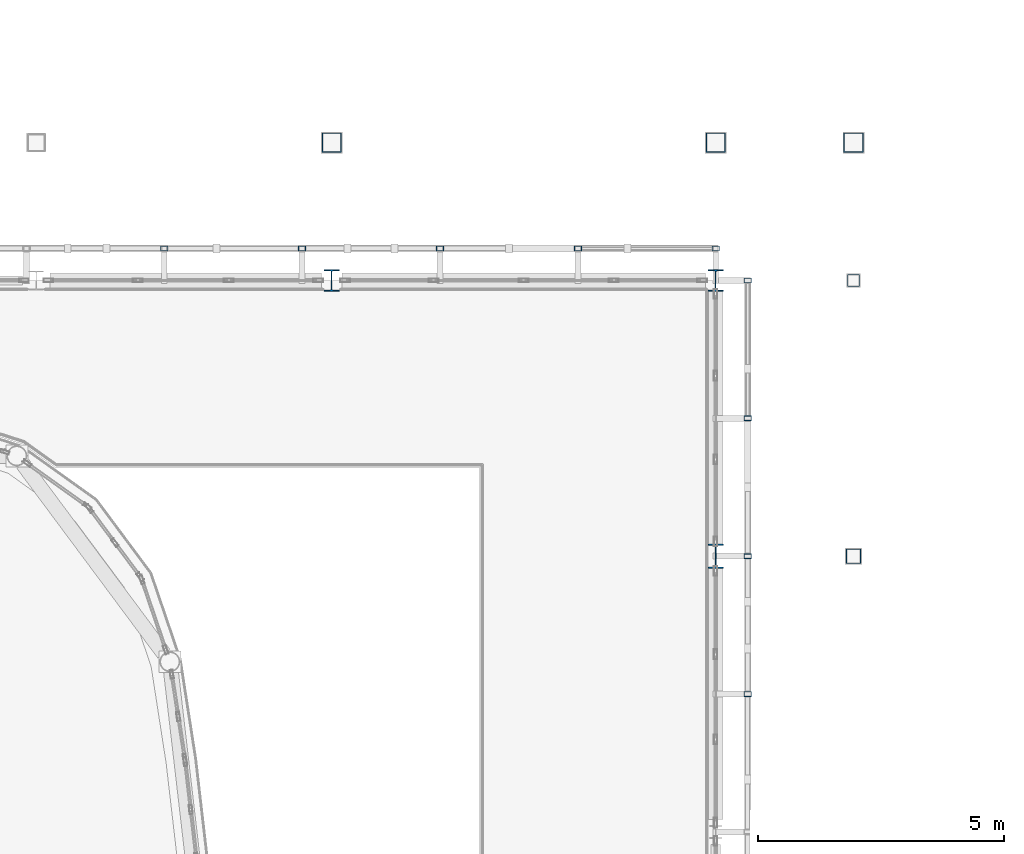
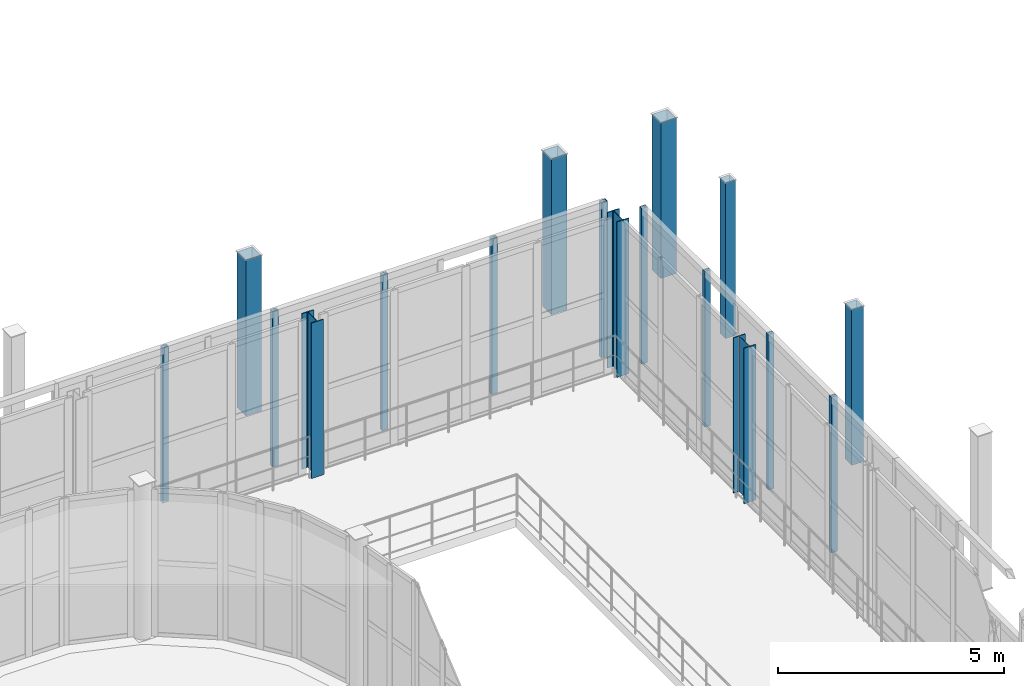
# One storey, part 14 of 121: 17 columns.
"""IFC4 building model written with IfcOpenShell, lengths in metres."""

import ifcopenshell
import ifcopenshell.guid

model = None  # the IFC model being written
_history = None  # IfcOwnerHistory: only IFC2X3 demands one
_inside = {}  # id of a spatial element -> (the spatial element, [elements in it])
_under = {}  # id of a project, library or spatial element -> (it, [spatial elements below it])
_declared = {}  # id of a project -> (the project, [libraries it declares])
_typed = {}  # id of a type object -> (the type object, [elements of that type])
_made_of = {}  # id of a material, layer set ... -> (it, [elements and type objects made of it])


def new_model(schema):
    """Start an empty IFC model of exactly this schema.

    Asked for "IFC4X3", IfcOpenShell would pick the latest addendum, in which some entities
    have other attributes; the version numbers below select the first issue.
    IFC2X3 requires an IfcOwnerHistory on every rooted entity: one is made here for all.
    """
    global model, _history
    if schema == "IFC4X3":
        model = ifcopenshell.file(schema_version=(4, 3, 0, 0))
    else:
        model = ifcopenshell.file(schema=schema)
    _inside.clear()
    _under.clear()
    _declared.clear()
    _typed.clear()
    _made_of.clear()
    _history = None
    if model.schema == "IFC2X3":
        org = make("IfcOrganization", Name="unknown")
        user = make(
            "IfcPersonAndOrganization",
            ThePerson=make("IfcPerson", FamilyName="unknown"),
            TheOrganization=org,
        )
        app = make(
            "IfcApplication",
            ApplicationDeveloper=org,
            Version="unknown",
            ApplicationFullName="unknown",
            ApplicationIdentifier="unknown",
        )
        _history = make(
            "IfcOwnerHistory",
            OwningUser=user,
            OwningApplication=app,
            ChangeAction="ADDED",
            CreationDate=0,
        )
    return model


def make(cls, **values):
    """One entity of the class cls with the attributes given. An attribute that is None is left unset."""
    return model.create_entity(
        cls, **{name: value for name, value in values.items() if value is not None}
    )


def rooted(cls, **values):
    """An entity with a GlobalId (a new one), such as an element, a storey or a relation."""
    return make(cls, GlobalId=ifcopenshell.guid.new(), OwnerHistory=_history, **values)


def si_unit(unit_type, name, prefix=None):
    """IfcSIUnit, for example si_unit("LENGTHUNIT", "METRE", prefix="MILLI")."""
    return make("IfcSIUnit", UnitType=unit_type, Prefix=prefix, Name=name)


def assignment(units):
    """IfcUnitAssignment: the units of a project."""
    return None if units is None else make("IfcUnitAssignment", Units=units)


def point(xyz):
    """IfcCartesianPoint."""
    return None if xyz is None else make("IfcCartesianPoint", Coordinates=xyz)


def direction(xyz):
    """IfcDirection."""
    return None if xyz is None else make("IfcDirection", DirectionRatios=xyz)


def frame(location, z_axis=None, x_axis=None):
    """IfcAxis2Placement3D, a coordinate frame: its origin and axes. An axis left out is left unset."""
    return make(
        "IfcAxis2Placement3D",
        Location=point(location),
        Axis=direction(z_axis),
        RefDirection=direction(x_axis),
    )


def frame_2d(location, x_axis=None):
    """IfcAxis2Placement2D, a coordinate frame in the plane: its origin and x axis."""
    return make(
        "IfcAxis2Placement2D", Location=point(location), RefDirection=direction(x_axis)
    )


def origin():
    """The frame at (0, 0, 0) with its axes left unset."""
    return frame((0.0, 0.0, 0.0))


def origin_2d():
    """The frame at (0, 0) in the plane with its x axis left unset."""
    return frame_2d((0.0, 0.0))


def place(relative_to, where):
    """IfcLocalPlacement: puts the frame where relative to a parent placement (None: the world)."""
    return make(
        "IfcLocalPlacement", PlacementRelTo=relative_to, RelativePlacement=where
    )


def context(
    kind, dimensions, precision=None, world=None, true_north=None, identifier=None
):
    """IfcGeometricRepresentationContext, for example the 3D "Model" context."""
    return make(
        "IfcGeometricRepresentationContext",
        ContextIdentifier=identifier,
        ContextType=kind,
        CoordinateSpaceDimension=dimensions,
        Precision=precision,
        WorldCoordinateSystem=world,
        TrueNorth=true_north,
    )


def subcontext(parent, identifier, kind, view, scale=None):
    """IfcGeometricRepresentationSubContext, for example "Body" below "Model"."""
    return make(
        "IfcGeometricRepresentationSubContext",
        ContextIdentifier=identifier,
        ContextType=kind,
        ParentContext=parent,
        TargetScale=scale,
        TargetView=view,
    )


def project(units=None, contexts=None):
    """IfcProject with its units and contexts."""
    return rooted(
        "IfcProject",
        Name="project",
        RepresentationContexts=contexts,
        UnitsInContext=assignment(units),
    )


def spatial(cls, under=None, at=None, **own):
    """A site, building, storey or space (cls), placed at a placement, below another one or the project."""
    s = rooted(cls, ObjectPlacement=at, **own)
    if under is not None:
        _under.setdefault(under.id(), (under, []))[1].append(s)
    return s


def profile(cls, at=None, kind="AREA", **sizes):
    """A parametric profile (cls). Its sizes go by their IFC names, for example OverallWidth=200.0."""
    return make(cls, ProfileType=kind, Position=at, **sizes)


def hollow_rectangle(**sizes):
    """IfcRectangleHollowProfileDef."""
    return profile("IfcRectangleHollowProfileDef", **sizes)


def i_section(**sizes):
    """IfcIShapeProfileDef."""
    return profile("IfcIShapeProfileDef", **sizes)


def extrude(swept, where, along, depth):
    """IfcExtrudedAreaSolid: the profile swept, set in the frame where, extruded along a direction by depth."""
    return make(
        "IfcExtrudedAreaSolid",
        SweptArea=swept,
        Position=where,
        ExtrudedDirection=direction(along),
        Depth=depth,
    )


def shape(context_of_items, identifier, shape_type, items):
    """IfcShapeRepresentation: the items that make up one representation, for example the "Body"."""
    return make(
        "IfcShapeRepresentation",
        ContextOfItems=context_of_items,
        RepresentationIdentifier=identifier,
        RepresentationType=shape_type,
        Items=items,
    )


def material(Name=None, Category=None):
    """IfcMaterial."""
    return make("IfcMaterial", Name=Name, Category=Category)


def material_profile(
    of_material, cross_section, Name=None, Category=None, Priority=None
):
    """IfcMaterialProfile: a cross section and its material."""
    return make(
        "IfcMaterialProfile",
        Name=Name,
        Material=of_material,
        Profile=cross_section,
        Priority=Priority,
        Category=Category,
    )


def profile_set(profiles, Name=None, composite=None):
    """IfcMaterialProfileSet."""
    return make(
        "IfcMaterialProfileSet",
        Name=Name,
        MaterialProfiles=profiles,
        CompositeProfile=composite,
    )


def made_of(thing, what):
    """Note that an element or type object is made of a material, layer set ...; save() writes the relation."""
    if what is not None:
        _made_of.setdefault(what.id(), (what, []))[1].append(thing)
    return thing


def type_object(cls, material=None, **own):
    """A type object (cls), such as IfcWallType, which elements share."""
    return made_of(rooted(cls, **own), material)


def element(
    cls,
    number,
    at=None,
    inside=None,
    cuts=None,
    type_object=None,
    material=None,
    context=None,
    identifier="Body",
    shape_type=None,
    held_by="IfcProductDefinitionShape",
    body=None,
    shapes=None,
    **own,
):
    """One element of the class cls, such as IfcWall. Its Tag is "e" and its number.

    at: its placement. inside: the storey or other place that contains it. cuts: it is an
    opening in that element (IfcRelVoidsElement). A single representation is given by context,
    identifier, shape_type and body (its items); several are given by shapes. held_by: the class
    of the entity that holds the representations. save() writes the other relations.
    """
    e = rooted(cls, Tag="e%d" % number, ObjectPlacement=at, **own)
    if body is not None:
        shapes = [shape(context, identifier, shape_type, body)]
    if shapes is not None:
        e.Representation = make(held_by, Representations=shapes)
    if inside is not None:
        _inside.setdefault(inside.id(), (inside, []))[1].append(e)
    if cuts is not None:
        rooted(
            "IfcRelVoidsElement", RelatingBuildingElement=cuts, RelatedOpeningElement=e
        )
    if type_object is not None:
        _typed.setdefault(type_object.id(), (type_object, []))[1].append(e)
    return made_of(e, material)


def aggregate(whole, parts):
    """IfcRelAggregates: a whole, such as a stair, and the parts it consists of."""
    return rooted("IfcRelAggregates", RelatingObject=whole, RelatedObjects=parts)


def save(model, path):
    """Write the relations noted so far, then the file.

    IfcRelAggregates (storeys below a building ...), IfcRelContainedInSpatialStructure (elements
    in a storey), IfcRelDefinesByType, IfcRelAssociatesMaterial and IfcRelDeclares: one each for
    every whole, place, type object, material and project.
    """
    for whole, parts in _under.values():
        aggregate(whole, parts)
    for where, things in _inside.values():
        rooted(
            "IfcRelContainedInSpatialStructure",
            RelatedElements=things,
            RelatingStructure=where,
        )
    for kind, things in _typed.values():
        rooted("IfcRelDefinesByType", RelatedObjects=things, RelatingType=kind)
    for what, things in _made_of.values():
        rooted("IfcRelAssociatesMaterial", RelatedObjects=things, RelatingMaterial=what)
    for by, libraries in _declared.values():
        rooted("IfcRelDeclares", RelatingContext=by, RelatedDefinitions=libraries)
    model.write(path)


model = new_model("IFC4")

# Units and contexts
model_context = context("Model", 3, precision=1e-05, world=origin(), true_north=direction((0.0, 1.0)))
body_context = subcontext(model_context, "Body", "Model", "MODEL_VIEW")
ifc_project = project(units=[si_unit("LENGTHUNIT", "METRE"), si_unit("AREAUNIT", "SQUARE_METRE"), si_unit("VOLUMEUNIT", "CUBIC_METRE"), si_unit("PLANEANGLEUNIT", "RADIAN"), si_unit("MASSUNIT", "GRAM", prefix="KILO")], contexts=[model_context])

# Site, building, storey
site_placement = place(None, origin())
site = spatial("IfcSite", under=ifc_project, at=site_placement, CompositionType="ELEMENT")
building_placement = place(site_placement, origin())
building = spatial("IfcBuilding", under=site, at=building_placement, Name="Vinh Khe Railworks Police Headquarters", CompositionType="ELEMENT")
storey_placement = place(building_placement, frame((0.0, 0.0, 4.800048828125)))
storey = spatial("IfcBuildingStorey", under=building, at=storey_placement, Name="L01", CompositionType="ELEMENT", Elevation=4.800048828125)

# Columns
ifc_material = material(Name="Steel S355JR", Category="steel")
ifc_material_profile_1 = material_profile(ifc_material, hollow_rectangle(XDim=0.14990234375, YDim=0.10009765625, WallThickness=0.008056640625, at=origin_2d()), Name="RHS 150x100x8")
ifc_profile_set_1 = profile_set([ifc_material_profile_1], Name="Steel S355JR")
column_type_1 = type_object("IfcColumnType", Name="COL-QUILT-POST", PredefinedType="COLUMN", material=ifc_profile_set_1)
for number, where, z_axis, x_axis, name in (
    (1, (48.800048828125, 59.449951171875, 0.0), (0.0, 0.0, 1.0), (1.0, 0.0, 0.0), "Patchwork Quilt Carrier Column N-9 (L01)"),
    (2, (51.60009765625, 59.449951171875, 0.0), (0.0, 0.0, 1.0), (1.0, 0.0, 0.0), "Patchwork Quilt Carrier Column N-10 (L01)"),
    (3, (54.39990234375, 59.449951171875, 0.0), (0.0, 0.0, 1.0), (1.0, 0.0, 0.0), "Patchwork Quilt Carrier Column N-11 (L01)"),
    (4, (57.199951171875, 59.449951171875, 0.0), (0.0, 0.0, 1.0), (1.0, 0.0, 0.0), "Patchwork Quilt Carrier Column N-12 (L01)"),
    (5, (60.0, 59.449951171875, 0.0), (0.0, 0.0, 1.0), (1.0, 0.0, 0.0), "Patchwork Quilt Carrier Column N-13 (L01)"),
    (6, (60.64990234375, 50.39990234375, 0.0), (0.0, 0.0, 1.0), (1.0, 0.0, 0.0), "Patchwork Quilt Carrier Column E-10 (L01)"),
    (7, (60.64990234375, 53.199951171875, 0.0), (0.0, 0.0, 1.0), (1.0, 0.0, 0.0), "Patchwork Quilt Carrier Column E-11 (L01)"),
    (8, (60.64990234375, 56.0, 0.0), (0.0, 0.0, 1.0), (1.0, 0.0, 0.0), "Patchwork Quilt Carrier Column E-12 (L01)"),
    (9, (60.64990234375, 58.800048828125, 0.0), (0.0, 0.0, 1.0), (1.0, 0.0, 0.0), "Patchwork Quilt Carrier Column E-13 (L01)"),
):
    element("IfcColumn", number, at=place(storey_placement, frame(where, z_axis=z_axis, x_axis=x_axis)), inside=storey, type_object=column_type_1, Name=name, PredefinedType="COLUMN", context=body_context, shape_type="SweptSolid", body=[
        extrude(hollow_rectangle(XDim=0.14990234375, YDim=0.10009765625, WallThickness=0.008056640625, at=origin_2d()), origin(), (0.0, 0.0, 1.0), 4.199951171875),
    ])
ifc_material_profile_2 = material_profile(ifc_material, i_section(OverallWidth=0.300048828125, OverallDepth=0.43994140625, WebThickness=0.011474609375, FlangeThickness=0.02099609375, FilletRadius=0.027099609375, at=origin_2d()), Name="HEA 450")
ifc_profile_set_2 = profile_set([ifc_material_profile_2], Name="Steel S355JR")
column_type_2 = type_object("IfcColumnType", Name="Steel Column HEA 450", PredefinedType="COLUMN", material=ifc_profile_set_2)
for number, where, z_axis, x_axis, name in (
    (10, (52.199951171875, 58.800048828125, 0.0), (0.0, 0.0, 1.0), (1.0, 0.0, 0.0), "Column COL-L01-SC-14-0975"),
    (11, (60.0, 58.800048828125, 0.0), (0.0, 0.0, 1.0), (1.0, 0.0, 0.0), "Column COL-L01-SC-14-1039"),
):
    element("IfcColumn", number, at=place(storey_placement, frame(where, z_axis=z_axis, x_axis=x_axis)), inside=storey, type_object=column_type_2, Name=name, PredefinedType="COLUMN", context=body_context, shape_type="SweptSolid", body=[
        extrude(i_section(OverallWidth=0.300048828125, OverallDepth=0.43994140625, WebThickness=0.011474609375, FlangeThickness=0.02099609375, FilletRadius=0.027099609375, at=origin_2d()), origin(), (0.0, 0.0, 1.0), 4.199951171875),
    ])
ifc_material_profile_3 = material_profile(ifc_material, i_section(OverallWidth=0.300048828125, OverallDepth=0.489990234375, WebThickness=0.011962890625, FlangeThickness=0.02294921875, FilletRadius=0.027099609375, at=origin_2d()), Name="HEA 500")
ifc_profile_set_3 = profile_set([ifc_material_profile_3], Name="Steel S355JR")
column_type_3 = type_object("IfcColumnType", Name="Steel Column HEA 500", PredefinedType="COLUMN", material=ifc_profile_set_3)
column_1_placement = place(storey_placement, frame((60.0, 53.199951171875, 0.0), z_axis=(0.0, 0.0, 1.0), x_axis=(1.0, 0.0, 0.0)))
element("IfcColumn", 12, at=column_1_placement, inside=storey, type_object=column_type_3, Name="Column COL-L01-SC-13-1034", PredefinedType="COLUMN", context=body_context, shape_type="SweptSolid", body=[
    extrude(i_section(OverallWidth=0.300048828125, OverallDepth=0.489990234375, WebThickness=0.011962890625, FlangeThickness=0.02294921875, FilletRadius=0.027099609375, at=origin_2d()), origin(), (0.0, 0.0, 1.0), 4.199951171875),
])
ifc_material_profile_4 = material_profile(ifc_material, hollow_rectangle(XDim=0.25, YDim=0.25, WallThickness=0.012451171875, at=origin_2d()), Name="SHS 250x250x12.5")
ifc_profile_set_4 = profile_set([ifc_material_profile_4], Name="Steel S355JR")
column_type_4 = type_object("IfcColumnType", Name="Steel Column SHS 250x250x12.5", PredefinedType="COLUMN", material=ifc_profile_set_4)
column_2_placement = place(storey_placement, frame((62.800048828125, 58.800048828125, 0.0), z_axis=(0.0, 0.0, 1.0), x_axis=(1.0, 0.0, 0.0)))
element("IfcColumn", 13, at=column_2_placement, inside=storey, type_object=column_type_4, Name="Column COL-L01-SC-24-1103", PredefinedType="COLUMN", context=body_context, shape_type="SweptSolid", body=[
    extrude(hollow_rectangle(XDim=0.25, YDim=0.25, WallThickness=0.012451171875, at=origin_2d()), origin(), (0.0, 0.0, 1.0), 4.199951171875),
])
ifc_material_profile_5 = material_profile(ifc_material, hollow_rectangle(XDim=0.300048828125, YDim=0.300048828125, WallThickness=0.01611328125, at=origin_2d()), Name="SHS 300x300x16")
ifc_profile_set_5 = profile_set([ifc_material_profile_5], Name="Steel S355JR")
column_type_5 = type_object("IfcColumnType", Name="Steel Column SHS 300x300x16", PredefinedType="COLUMN", material=ifc_profile_set_5)
column_3_placement = place(storey_placement, frame((62.800048828125, 53.199951171875, 0.0), z_axis=(0.0, 0.0, 1.0), x_axis=(1.0, 0.0, 0.0)))
element("IfcColumn", 14, at=column_3_placement, inside=storey, type_object=column_type_5, Name="Column COL-L01-SC-23-1098", PredefinedType="COLUMN", context=body_context, shape_type="SweptSolid", body=[
    extrude(hollow_rectangle(XDim=0.300048828125, YDim=0.300048828125, WallThickness=0.01611328125, at=origin_2d()), origin(), (0.0, 0.0, 1.0), 4.199951171875),
])
ifc_material_profile_6 = material_profile(ifc_material, hollow_rectangle(XDim=0.39990234375, YDim=0.39990234375, WallThickness=0.02001953125, at=origin_2d()), Name="SHS 400x400x20")
ifc_profile_set_6 = profile_set([ifc_material_profile_6], Name="Steel S355JR")
column_type_6 = type_object("IfcColumnType", Name="Steel Column SHS 400x400x20", PredefinedType="COLUMN", material=ifc_profile_set_6)
for number, where, z_axis, x_axis, name in (
    (15, (52.199951171875, 61.60009765625, 0.0), (0.0, 0.0, 1.0), (1.0, 0.0, 0.0), "Column COL-L01-SC-21-0980"),
    (16, (60.0, 61.60009765625, 0.0), (0.0, 0.0, 1.0), (1.0, 0.0, 0.0), "Column COL-L01-SC-21-1044"),
    (17, (62.800048828125, 61.60009765625, 0.0), (0.0, 0.0, 1.0), (1.0, 0.0, 0.0), "Column COL-L01-SC-21-1108"),
):
    element("IfcColumn", number, at=place(storey_placement, frame(where, z_axis=z_axis, x_axis=x_axis)), inside=storey, type_object=column_type_6, Name=name, PredefinedType="COLUMN", context=body_context, shape_type="SweptSolid", body=[
        extrude(hollow_rectangle(XDim=0.39990234375, YDim=0.39990234375, WallThickness=0.02001953125, at=origin_2d()), origin(), (0.0, 0.0, 1.0), 4.199951171875),
    ])

save(model, "model.ifc")
